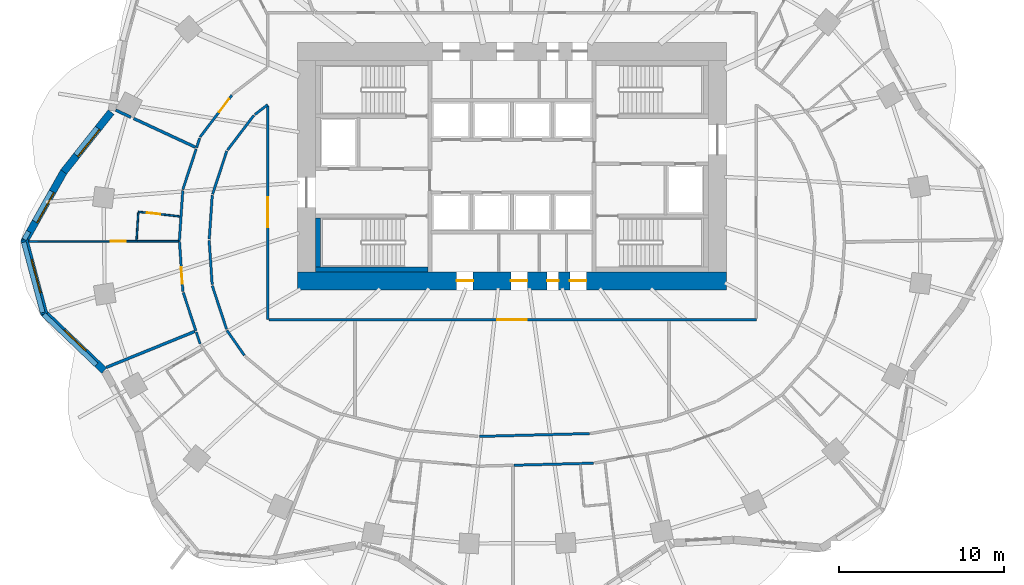
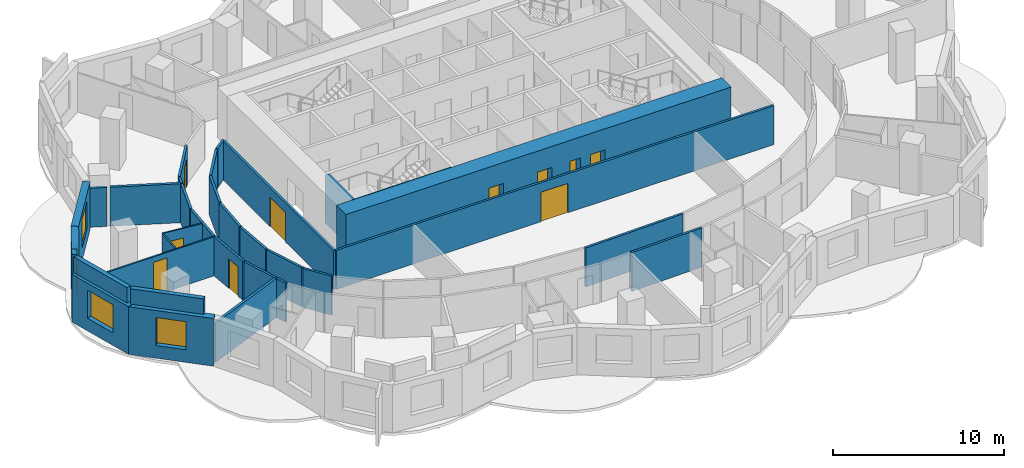
# One storey, part 4 of 11: 34 walls, 10 doors, 4 windows, 14 openings.
"""IFC4 building model written with IfcOpenShell, lengths in metres."""

from ifc_helpers import new_model, si_unit, direction, frame, frame_2d, origin, place, context, subcontext, project, spatial, rectangle, extrude, material, layer, layer_set, type_object, element, fill, save


model = new_model("IFC4")

# Units and contexts
model_context = context("Model", 3, precision=1e-05, world=origin(), true_north=direction((0.0, 1.0)))
body_context = subcontext(model_context, "Body", "Model", "MODEL_VIEW")
ifc_project = project(units=[si_unit("LENGTHUNIT", "METRE"), si_unit("AREAUNIT", "SQUARE_METRE"), si_unit("VOLUMEUNIT", "CUBIC_METRE"), si_unit("PLANEANGLEUNIT", "RADIAN"), si_unit("MASSUNIT", "GRAM", prefix="KILO")], contexts=[model_context])

# Site, building, storey
site_placement = place(None, origin())
site = spatial("IfcSite", under=ifc_project, at=site_placement, CompositionType="ELEMENT")
building_placement = place(site_placement, origin())
building = spatial("IfcBuilding", under=site, at=building_placement, Name="Rubra Terraces Tower", CompositionType="ELEMENT")
storey_placement = place(building_placement, frame((0.0, 0.0, 99.60009765625)))
storey = spatial("IfcBuildingStorey", under=building, at=storey_placement, Name="L23", CompositionType="ELEMENT", Elevation=99.60009765625)

# Walls
ifc_material_1 = material(Name="Twin plasterboard on staggered steel stud, acoustic mineral wool", Category="steel")
ifc_layer_1 = layer(ifc_material_1, 0.175048828125)
ifc_layer_set_1 = layer_set([ifc_layer_1], Name="Twin plasterboard on staggered steel stud, acoustic mineral wool")
wall_type_1 = type_object("IfcWallType", Name="ACOUSTIC PARTY WALL 175", PredefinedType="PARTITIONING", material=ifc_layer_set_1)
wall_1_placement = place(storey_placement, frame((-24.003662109375, 7.891845703125, 0.0), z_axis=(0.0, 0.0, 1.0), x_axis=(0.906808768869, -0.421542235966, 0.0)))
element("IfcWall", 1, at=wall_1_placement, inside=storey, type_object=wall_type_1, Name="PARTITION", PredefinedType="PARTITIONING", context=body_context, shape_type="SweptSolid", body=[
    extrude(rectangle(XDim=1.015380859375, YDim=0.175048828125, at=frame_2d((0.5078125, 0.0))), origin(), (0.0, 0.0, 1.0), 2.783935546875),
])
wall_2_placement = place(storey_placement, frame((-22.91357421875, 7.385009765625, 0.0), z_axis=(0.0, 0.0, 1.0), x_axis=(0.906751124929, -0.421666215674, 0.0)))
element("IfcWall", 2, at=wall_2_placement, inside=storey, type_object=wall_type_1, Name="PARTITION", PredefinedType="PARTITIONING", context=body_context, shape_type="SweptSolid", body=[
    extrude(rectangle(XDim=4.123046875, YDim=0.175048828125, at=frame_2d((2.0615234375, 0.0))), origin(), (0.0, 0.0, 1.0), 2.783935546875),
])
wall_3_placement = place(storey_placement, frame((-24.57421875, -7.692138671875, 0.0), z_axis=(0.0, 0.0, 1.0), x_axis=(0.926441725598, 0.376438214148, 0.0)))
element("IfcWall", 3, at=wall_3_placement, inside=storey, type_object=wall_type_1, Name="PARTITION", PredefinedType="PARTITIONING", context=body_context, shape_type="SweptSolid", body=[
    extrude(rectangle(XDim=5.78125, YDim=0.175048828125, at=frame_2d((2.890625, 0.0))), origin(), (0.0, 0.0, 1.0), 2.783935546875),
])

# Wall, opening, window
ifc_material_2 = material(Name="Brick masonry red-brown", Category="masonry")
ifc_layer_2 = layer(ifc_material_2, 0.449951171875)
ifc_layer_set_2 = layer_set([ifc_layer_2], Name="Brick masonry red-brown")
wall_type_2 = type_object("IfcWallType", Name="Brick facade wall 450", PredefinedType="SOLIDWALL", material=ifc_layer_set_2)
wall_4_placement = place(storey_placement, frame((-24.2822265625, 7.773681640625, 0.0), z_axis=(0.0, 0.0, 1.0), x_axis=(-0.621735490397, -0.783227285008, 0.0)))
wall_4 = element("IfcWall", 4, at=wall_4_placement, inside=storey, type_object=wall_type_2, Name="Facade wall L23 bay 19", PredefinedType="SOLIDWALL", context=body_context, shape_type="SweptSolid", body=[
    extrude(rectangle(XDim=4.62451171875, YDim=0.449951171875, at=frame_2d((2.312255859375, 0.0))), origin(), (0.0, 0.0, 1.0), 3.39990234375),
])
opening_1_placement = place(wall_4_placement, frame((1.26220703125, 0.0, 0.89990234375)))
opening_1 = element("IfcOpeningElement", 5, at=opening_1_placement, cuts=wall_4, Name="Opening W1", PredefinedType="OPENING", context=body_context, shape_type="SweptSolid", body=[
    extrude(rectangle(XDim=2.10009765625, YDim=2.0, at=frame_2d((1.050048828125, 1.0))), frame((0.0, 0.23486328125, 0.0), z_axis=(0.0, -1.0, 0.0), x_axis=(1.0, 0.0, 0.0)), (0.0, 0.0, 1.0), 0.469970703125),
])
ifc_material_3 = material(Name="Clear glass in aluminium frame", Category="aluminium")
window_type_1 = type_object("IfcWindowType", Name="Fixed deep-set window 2100 x 2000", PartitioningType="SINGLE_PANEL", PredefinedType="WINDOW", material=ifc_material_3)
window_1_placement = place(opening_1_placement, origin())
window_1 = element("IfcWindow", 6, at=window_1_placement, inside=storey, type_object=window_type_1, Name="Window L23 bay 19", OverallHeight=2.0, OverallWidth=2.10009765625, PartitioningType="SINGLE_PANEL", PredefinedType="WINDOW", context=body_context, shape_type="SweptSolid", body=[
    extrude(rectangle(XDim=2.10009765625, YDim=2.0, at=frame_2d((1.050048828125, 1.0))), frame((0.0, 0.135009765625, 0.0), z_axis=(0.0, -1.0, 0.0), x_axis=(1.0, 0.0, 0.0)), (0.0, 0.0, 1.0), 0.06005859375),
])
fill(opening_1, window_1)

wall_5_placement = place(storey_placement, frame((-27.138427734375, 4.180908203125, 0.0), z_axis=(0.0, 0.0, 1.0), x_axis=(-0.491588303761, -0.870827732451, 0.0)))
wall_5 = element("IfcWall", 7, at=wall_5_placement, inside=storey, type_object=wall_type_2, Name="Facade wall L23 bay 20", PredefinedType="SOLIDWALL", context=body_context, shape_type="SweptSolid", body=[
    extrude(rectangle(XDim=4.924072265625, YDim=0.449951171875, at=frame_2d((2.4619140625, 0.0))), origin(), (0.0, 0.0, 1.0), 3.39990234375),
])
opening_2_placement = place(wall_5_placement, frame((1.412109375, 0.0, 0.89990234375)))
opening_2 = element("IfcOpeningElement", 8, at=opening_2_placement, cuts=wall_5, Name="Opening W1", PredefinedType="OPENING", context=body_context, shape_type="SweptSolid", body=[
    extrude(rectangle(XDim=2.10009765625, YDim=2.0, at=frame_2d((1.050048828125, 1.0))), frame((0.0, 0.23486328125, 0.0), z_axis=(0.0, -1.0, 0.0), x_axis=(1.0, 0.0, 0.0)), (0.0, 0.0, 1.0), 0.469970703125),
])
window_2_placement = place(opening_2_placement, origin())
window_2 = element("IfcWindow", 9, at=window_2_placement, inside=storey, type_object=window_type_1, Name="Window L23 bay 20", OverallHeight=2.0, OverallWidth=2.10009765625, PartitioningType="SINGLE_PANEL", PredefinedType="WINDOW", context=body_context, shape_type="SweptSolid", body=[
    extrude(rectangle(XDim=2.10009765625, YDim=2.0, at=frame_2d((1.050048828125, 1.0))), frame((0.0, 0.135009765625, 0.0), z_axis=(0.0, -1.0, 0.0), x_axis=(1.0, 0.0, 0.0)), (0.0, 0.0, 1.0), 0.06005859375),
])
fill(opening_2, window_2)

wall_6_placement = place(storey_placement, frame((-29.539794921875, 0.05810546875, 0.0), z_axis=(0.0, 0.0, 1.0), x_axis=(0.258581372102, -0.96598947924, 0.0)))
wall_6 = element("IfcWall", 10, at=wall_6_placement, inside=storey, type_object=wall_type_2, Name="Facade wall L23 bay 21", PredefinedType="SOLIDWALL", context=body_context, shape_type="SweptSolid", body=[
    extrude(rectangle(XDim=4.68017578125, YDim=0.449951171875, at=frame_2d((2.340087890625, 0.0))), origin(), (0.0, 0.0, 1.0), 3.39990234375),
])
opening_3_placement = place(wall_6_placement, frame((1.2900390625, 0.0, 0.89990234375)))
opening_3 = element("IfcOpeningElement", 11, at=opening_3_placement, cuts=wall_6, Name="Opening W1", PredefinedType="OPENING", context=body_context, shape_type="SweptSolid", body=[
    extrude(rectangle(XDim=2.10009765625, YDim=2.0, at=frame_2d((1.050048828125, 1.0))), frame((0.0, 0.23486328125, 0.0), z_axis=(0.0, -1.0, 0.0), x_axis=(1.0, 0.0, 0.0)), (0.0, 0.0, 1.0), 0.469970703125),
])
window_3_placement = place(opening_3_placement, origin())
window_3 = element("IfcWindow", 12, at=window_3_placement, inside=storey, type_object=window_type_1, Name="Window L23 bay 21", OverallHeight=2.0, OverallWidth=2.10009765625, PartitioningType="SINGLE_PANEL", PredefinedType="WINDOW", context=body_context, shape_type="SweptSolid", body=[
    extrude(rectangle(XDim=2.10009765625, YDim=2.0, at=frame_2d((1.050048828125, 1.0))), frame((0.0, 0.135009765625, 0.0), z_axis=(0.0, -1.0, 0.0), x_axis=(1.0, 0.0, 0.0)), (0.0, 0.0, 1.0), 0.06005859375),
])
fill(opening_3, window_3)

wall_7_placement = place(storey_placement, frame((-28.38720703125, -4.362548828125, 0.0), z_axis=(0.0, 0.0, 1.0), x_axis=(0.722717697728, -0.691143349379, 0.0)))
wall_7 = element("IfcWall", 13, at=wall_7_placement, inside=storey, type_object=wall_type_2, Name="Facade wall L23 bay 22", PredefinedType="SOLIDWALL", context=body_context, shape_type="SweptSolid", body=[
    extrude(rectangle(XDim=5.103271484375, YDim=0.449951171875, at=frame_2d((2.5517578125, 0.0))), origin(), (0.0, 0.0, 1.0), 3.39990234375),
])
opening_4_placement = place(wall_7_placement, frame((1.651611328125, 0.0, 0.89990234375)))
opening_4 = element("IfcOpeningElement", 14, at=opening_4_placement, cuts=wall_7, Name="Opening W6", PredefinedType="OPENING", context=body_context, shape_type="SweptSolid", body=[
    extrude(rectangle(XDim=1.800048828125, YDim=2.0, at=frame_2d((0.89990234375, 1.0))), frame((0.0, 0.23486328125, 0.0), z_axis=(0.0, -1.0, 0.0), x_axis=(1.0, 0.0, 0.0)), (0.0, 0.0, 1.0), 0.469970703125),
])
window_type_2 = type_object("IfcWindowType", Name="Fixed deep-set window at wind fin 1800 x 2000", PartitioningType="SINGLE_PANEL", PredefinedType="WINDOW", material=ifc_material_3)
window_4_placement = place(opening_4_placement, origin())
window_4 = element("IfcWindow", 15, at=window_4_placement, inside=storey, type_object=window_type_2, Name="Window L23 bay 22", OverallHeight=2.0, OverallWidth=1.800048828125, PartitioningType="SINGLE_PANEL", PredefinedType="WINDOW", context=body_context, shape_type="SweptSolid", body=[
    extrude(rectangle(XDim=1.800048828125, YDim=2.0, at=frame_2d((0.89990234375, 1.0))), frame((0.0, 0.135009765625, 0.0), z_axis=(0.0, -1.0, 0.0), x_axis=(1.0, 0.0, 0.0)), (0.0, 0.0, 1.0), 0.06005859375),
])
fill(opening_4, window_4)

# Walls
ifc_layer_3 = layer(ifc_material_2, 0.300048828125)
ifc_layer_set_3 = layer_set([ifc_layer_3], Name="Brick masonry red-brown")
wall_type_3 = type_object("IfcWallType", Name="Brick parapet 300", PredefinedType="PARAPET", material=ifc_layer_set_3)
wall_8_placement = place(storey_placement, frame((-29.27880859375, 0.541748046875, 3.599853515625), z_axis=(0.0, 0.0, 1.0), x_axis=(-0.491912136679, -0.870644847103, 0.0)))
element("IfcWall", 16, at=wall_8_placement, inside=storey, type_object=wall_type_3, Name="Parapet L23 bay 20", PredefinedType="PARAPET", context=body_context, shape_type="SweptSolid", body=[
    extrude(rectangle(XDim=0.554443359375, YDim=0.300048828125, at=frame_2d((0.27734375, 0.0))), origin(), (0.0, 0.0, 1.0), 1.10009765625),
])
for number, where, z_axis, x_axis, name in (
    (17, (-29.57275390625, -0.1083984375, 3.599853515625), (0.0, 0.0, 1.0), (0.258523195294, -0.96600505045, 0.0), "Parapet L23 bay 21"),
    (18, (-28.36083984375, -4.491455078125, 3.599853515625), (0.0, 0.0, 1.0), (0.722694709068, -0.691167387457, 0.0), "Parapet L23 bay 22"),
):
    element("IfcWall", number, at=place(storey_placement, frame(where, z_axis=z_axis, x_axis=x_axis)), inside=storey, type_object=wall_type_3, Name=name, PredefinedType="PARAPET", context=body_context, shape_type="SweptSolid", body=[
        extrude(rectangle(XDim=4.4140625, YDim=0.300048828125, at=frame_2d((2.20703125, 0.0))), origin(), (0.0, 0.0, 1.0), 1.10009765625),
    ])

# Wall, openings, doors
ifc_material_4 = material(Name="Concrete C60", Category="concrete")
ifc_layer_4 = layer(ifc_material_4, 1.10009765625)
ifc_layer_set_4 = layer_set([ifc_layer_4], Name="Concrete C60")
wall_type_4 = type_object("IfcWallType", Name="CORE WALL 1100 C60", PredefinedType="SHEAR", material=ifc_layer_set_4)
wall_9_placement = place(storey_placement, frame((-13.0, -2.449951171875, 0.0), z_axis=(0.0, 0.0, 1.0), x_axis=(1.0, 0.0, 0.0)))
wall_9 = element("IfcWall", 19, at=wall_9_placement, inside=storey, type_object=wall_type_4, Name="CORE WALL S L23", PredefinedType="SHEAR", context=body_context, shape_type="SweptSolid", body=[
    extrude(rectangle(XDim=26.0, YDim=1.10009765625, at=frame_2d((13.0, 0.0))), origin(), (0.0, 0.0, 1.0), 3.599853515625),
])
opening_5_placement = place(wall_9_placement, frame((9.64990234375, 0.0, 0.0)))
opening_5 = element("IfcOpeningElement", 20, at=opening_5_placement, cuts=wall_9, Name="Opening L23.C19", PredefinedType="OPENING", context=body_context, shape_type="SweptSolid", body=[
    extrude(rectangle(XDim=1.0, YDim=2.10009765625, at=frame_2d((0.5, 1.050048828125))), frame((0.0, 0.56005859375, 0.0), z_axis=(0.0, -1.0, 0.0), x_axis=(1.0, 0.0, 0.0)), (0.0, 0.0, 1.0), 1.1201171875),
])
opening_6_placement = place(wall_9_placement, frame((12.925048828125, 0.0, 0.0)))
opening_6 = element("IfcOpeningElement", 21, at=opening_6_placement, cuts=wall_9, Name="Opening L23.C20", PredefinedType="OPENING", context=body_context, shape_type="SweptSolid", body=[
    extrude(rectangle(XDim=1.0, YDim=2.10009765625, at=frame_2d((0.5, 1.050048828125))), frame((0.0, 0.56005859375, 0.0), z_axis=(0.0, -1.0, 0.0), x_axis=(1.0, 0.0, 0.0)), (0.0, 0.0, 1.0), 1.1201171875),
])
opening_7_placement = place(wall_9_placement, frame((15.125, 0.0, 0.0)))
opening_7 = element("IfcOpeningElement", 22, at=opening_7_placement, cuts=wall_9, Name="Opening L23.C21", PredefinedType="OPENING", context=body_context, shape_type="SweptSolid", body=[
    extrude(rectangle(XDim=0.699951171875, YDim=2.10009765625, at=frame_2d((0.35009765625, 1.050048828125))), frame((0.0, 0.56005859375, 0.0), z_axis=(0.0, -1.0, 0.0), x_axis=(1.0, 0.0, 0.0)), (0.0, 0.0, 1.0), 1.1201171875),
])
opening_8_placement = place(wall_9_placement, frame((16.5, 0.0, 0.0)))
opening_8 = element("IfcOpeningElement", 23, at=opening_8_placement, cuts=wall_9, Name="Opening L23.C22", PredefinedType="OPENING", context=body_context, shape_type="SweptSolid", body=[
    extrude(rectangle(XDim=1.0, YDim=2.10009765625, at=frame_2d((0.5, 1.050048828125))), frame((0.0, 0.56005859375, 0.0), z_axis=(0.0, -1.0, 0.0), x_axis=(1.0, 0.0, 0.0)), (0.0, 0.0, 1.0), 1.1201171875),
])
ifc_material_5 = material(Name="Painted steel", Category="steel")
door_type_1 = type_object("IfcDoorType", Name="Fire door 1000x2100 single", OperationType="NOTDEFINED", PredefinedType="DOOR", material=ifc_material_5)
door_1_placement = place(opening_5_placement, origin())
door_1 = element("IfcDoor", 24, at=door_1_placement, inside=storey, type_object=door_type_1, Name="Linen store door", OperationType="SINGLE_SWING_LEFT", OverallHeight=2.10009765625, OverallWidth=1.0, PredefinedType="DOOR", context=body_context, shape_type="SweptSolid", body=[
    extrude(rectangle(XDim=1.0, YDim=2.10009765625, at=frame_2d((0.5, 1.050048828125))), frame((0.0, 0.02490234375, 0.0), z_axis=(0.0, -1.0, 0.0), x_axis=(1.0, 0.0, 0.0)), (0.0, 0.0, 1.0), 0.050048828125),
])
fill(opening_5, door_1)
door_2_placement = place(opening_6_placement, origin())
door_2 = element("IfcDoor", 25, at=door_2_placement, inside=storey, type_object=door_type_1, Name="Guest pantry door", OperationType="SINGLE_SWING_RIGHT", OverallHeight=2.10009765625, OverallWidth=1.0, PredefinedType="DOOR", context=body_context, shape_type="SweptSolid", body=[
    extrude(rectangle(XDim=1.0, YDim=2.10009765625, at=frame_2d((0.5, 1.050048828125))), frame((0.0, 0.02490234375, 0.0), z_axis=(0.0, -1.0, 0.0), x_axis=(1.0, 0.0, 0.0)), (0.0, 0.0, 1.0), 0.050048828125),
])
fill(opening_6, door_2)
door_3_placement = place(opening_8_placement, origin())
door_3 = element("IfcDoor", 26, at=door_3_placement, inside=storey, type_object=door_type_1, Name="Refuse room door", OperationType="SINGLE_SWING_RIGHT", OverallHeight=2.10009765625, OverallWidth=1.0, PredefinedType="DOOR", context=body_context, shape_type="SweptSolid", body=[
    extrude(rectangle(XDim=1.0, YDim=2.10009765625, at=frame_2d((0.5, 1.050048828125))), frame((0.0, 0.02490234375, 0.0), z_axis=(0.0, -1.0, 0.0), x_axis=(1.0, 0.0, 0.0)), (0.0, 0.0, 1.0), 0.050048828125),
])
fill(opening_8, door_3)
door_type_2 = type_object("IfcDoorType", Name="Riser access door 700x2100 single", OperationType="NOTDEFINED", PredefinedType="DOOR", material=ifc_material_5)
door_4_placement = place(opening_7_placement, origin())
door_4 = element("IfcDoor", 27, at=door_4_placement, inside=storey, type_object=door_type_2, Name="Telecoms room door", OperationType="SINGLE_SWING_LEFT", OverallHeight=2.10009765625, OverallWidth=0.699951171875, PredefinedType="DOOR", context=body_context, shape_type="SweptSolid", body=[
    extrude(rectangle(XDim=0.699951171875, YDim=2.10009765625, at=frame_2d((0.35009765625, 1.050048828125))), frame((0.0, 0.02490234375, 0.0), z_axis=(0.0, -1.0, 0.0), x_axis=(1.0, 0.0, 0.0)), (0.0, 0.0, 1.0), 0.050048828125),
])
fill(opening_7, door_4)

# Wall, opening, door
ifc_material_6 = material(Name="Plasterboard on steel stud, mineral wool infill", Category="steel")
ifc_layer_5 = layer(ifc_material_6, 0.14990234375)
ifc_layer_set_5 = layer_set([ifc_layer_5], Name="Plasterboard on steel stud, mineral wool infill")
wall_type_5 = type_object("IfcWallType", Name="CORRIDOR PARTITION 150", PredefinedType="PARTITIONING", material=ifc_layer_set_5)
wall_10_placement = place(storey_placement, frame((-16.966796875, 8.799560546875, 0.0), z_axis=(0.0, 0.0, 1.0), x_axis=(-0.604991921991, -0.796231608469, 0.0)))
wall_10 = element("IfcWall", 28, at=wall_10_placement, inside=storey, type_object=wall_type_5, Name="PARTITION", PredefinedType="PARTITIONING", context=body_context, shape_type="SweptSolid", body=[
    extrude(rectangle(XDim=3.18505859375, YDim=0.14990234375, at=frame_2d((1.592529296875, 0.0))), origin(), (0.0, 0.0, 1.0), 2.783935546875),
])
opening_9_placement = place(wall_10_placement, frame((0.300048828125, 0.0, 0.0)))
opening_9 = element("IfcOpeningElement", 29, at=opening_9_placement, cuts=wall_10, Name="Opening 23-103", PredefinedType="OPENING", context=body_context, shape_type="SweptSolid", body=[
    extrude(rectangle(XDim=1.0, YDim=2.10009765625, at=frame_2d((0.5, 1.050048828125))), frame((0.0, 0.0849609375, 0.0), z_axis=(0.0, -1.0, 0.0), x_axis=(1.0, 0.0, 0.0)), (0.0, 0.0, 1.0), 0.169921875),
])
ifc_material_7 = material(Name="Painted timber door leaf", Category="wood")
door_type_3 = type_object("IfcDoorType", Name="ROOM DOOR 1000 X 2100", OperationType="SINGLE_SWING_LEFT", PredefinedType="DOOR", material=ifc_material_7)
door_5_placement = place(opening_9_placement, origin())
door_5 = element("IfcDoor", 30, at=door_5_placement, inside=storey, type_object=door_type_3, Name="DOOR 23-103", OperationType="SINGLE_SWING_RIGHT", OverallHeight=2.10009765625, OverallWidth=1.0, PredefinedType="DOOR", context=body_context, shape_type="SweptSolid", body=[
    extrude(rectangle(XDim=1.0, YDim=2.10009765625, at=frame_2d((0.5, 1.050048828125))), frame((0.0, 0.02490234375, 0.0), z_axis=(0.0, -1.0, 0.0), x_axis=(1.0, 0.0, 0.0)), (0.0, 0.0, 1.0), 0.050048828125),
])
fill(opening_9, door_5)

# Walls
wall_11_placement = place(storey_placement, frame((-18.917236328125, 6.192138671875, 0.0), z_axis=(0.0, 0.0, 1.0), x_axis=(-0.312127391281, -0.95004025789, 0.0)))
element("IfcWall", 31, at=wall_11_placement, inside=storey, type_object=wall_type_5, Name="PARTITION", PredefinedType="PARTITIONING", context=body_context, shape_type="SweptSolid", body=[
    extrude(rectangle(XDim=0.607666015625, YDim=0.14990234375, at=frame_2d((0.3037109375, 0.0))), origin(), (0.0, 0.0, 1.0), 2.783935546875),
])
wall_12_placement = place(storey_placement, frame((-19.13037109375, 5.54345703125, 0.0), z_axis=(0.0, 0.0, 1.0), x_axis=(-0.312063251121, -0.950061328178, 0.0)))
element("IfcWall", 32, at=wall_12_placement, inside=storey, type_object=wall_type_5, Name="PARTITION", PredefinedType="PARTITIONING", context=body_context, shape_type="SweptSolid", body=[
    extrude(rectangle(XDim=2.587158203125, YDim=0.14990234375, at=frame_2d((1.29345703125, 0.0))), origin(), (0.0, 0.0, 1.0), 2.783935546875),
])
wall_13_placement = place(storey_placement, frame((-19.94287109375, 3.0107421875, 0.0), z_axis=(0.0, 0.0, 1.0), x_axis=(-0.068280105787, -0.997666190243, 0.0)))
element("IfcWall", 33, at=wall_13_placement, inside=storey, type_object=wall_type_5, Name="PARTITION", PredefinedType="PARTITIONING", context=body_context, shape_type="SweptSolid", body=[
    extrude(rectangle(XDim=3.017822265625, YDim=0.14990234375, at=frame_2d((1.5087890625, 0.0))), origin(), (0.0, 0.0, 1.0), 2.783935546875),
])

# Wall, opening, door
wall_14_placement = place(storey_placement, frame((-20.143798828125, -0.07470703125, 0.0), z_axis=(0.0, 0.0, 1.0), x_axis=(0.068280105787, -0.997666190243, 0.0)))
wall_14 = element("IfcWall", 34, at=wall_14_placement, inside=storey, type_object=wall_type_5, Name="PARTITION", PredefinedType="PARTITIONING", context=body_context, shape_type="SweptSolid", body=[
    extrude(rectangle(XDim=3.017822265625, YDim=0.14990234375, at=frame_2d((1.5087890625, 0.0))), origin(), (0.0, 0.0, 1.0), 2.783935546875),
])
opening_10_placement = place(wall_14_placement, frame((1.550048828125, 0.0, 0.0)))
opening_10 = element("IfcOpeningElement", 35, at=opening_10_placement, cuts=wall_14, Name="Opening 23-106", PredefinedType="OPENING", context=body_context, shape_type="SweptSolid", body=[
    extrude(rectangle(XDim=1.0, YDim=2.10009765625, at=frame_2d((0.5, 1.050048828125))), frame((0.0, 0.0849609375, 0.0), z_axis=(0.0, -1.0, 0.0), x_axis=(1.0, 0.0, 0.0)), (0.0, 0.0, 1.0), 0.169921875),
])
door_6_placement = place(opening_10_placement, origin())
door_6 = element("IfcDoor", 36, at=door_6_placement, inside=storey, type_object=door_type_3, Name="DOOR 23-106", OperationType="SINGLE_SWING_RIGHT", OverallHeight=2.10009765625, OverallWidth=1.0, PredefinedType="DOOR", context=body_context, shape_type="SweptSolid", body=[
    extrude(rectangle(XDim=1.0, YDim=2.10009765625, at=frame_2d((0.5, 1.050048828125))), frame((0.0, 0.02490234375, 0.0), z_axis=(0.0, -1.0, 0.0), x_axis=(1.0, 0.0, 0.0)), (0.0, 0.0, 1.0), 0.050048828125),
])
fill(opening_10, door_6)

# Walls
wall_15_placement = place(storey_placement, frame((-19.914306640625, -3.15673828125, 0.0), z_axis=(0.0, 0.0, 1.0), x_axis=(0.312045516591, -0.950067153193, 0.0)))
element("IfcWall", 37, at=wall_15_placement, inside=storey, type_object=wall_type_5, Name="PARTITION", PredefinedType="PARTITIONING", context=body_context, shape_type="SweptSolid", body=[
    extrude(rectangle(XDim=2.45361328125, YDim=0.14990234375, at=frame_2d((1.226806640625, 0.0))), origin(), (0.0, 0.0, 1.0), 2.783935546875),
])
wall_16_placement = place(storey_placement, frame((-19.125244140625, -5.55908203125, 0.0), z_axis=(0.0, 0.0, 1.0), x_axis=(0.312174518273, -0.950024773436, 0.0)))
element("IfcWall", 38, at=wall_16_placement, inside=storey, type_object=wall_type_5, Name="PARTITION", PredefinedType="PARTITIONING", context=body_context, shape_type="SweptSolid", body=[
    extrude(rectangle(XDim=0.741455078125, YDim=0.14990234375, at=frame_2d((0.37060546875, 0.0))), origin(), (0.0, 0.0, 1.0), 2.783935546875),
])
wall_17_placement = place(storey_placement, frame((0.132080078125, -13.617919921875, 0.0), z_axis=(0.0, 0.0, 1.0), x_axis=(0.999664963682, 0.025883593008, 0.0)))
element("IfcWall", 39, at=wall_17_placement, inside=storey, type_object=wall_type_5, Name="PARTITION", PredefinedType="PARTITIONING", context=body_context, shape_type="SweptSolid", body=[
    extrude(rectangle(XDim=4.810546875, YDim=0.14990234375, at=frame_2d((2.4052734375, 0.0))), origin(), (0.0, 0.0, 1.0), 2.783935546875),
])
wall_18_placement = place(storey_placement, frame((4.684326171875, -11.69921875, 0.0), z_axis=(0.0, 0.0, 1.0), x_axis=(-0.999663438204, -0.025942442425, 0.0)))
element("IfcWall", 40, at=wall_18_placement, inside=storey, type_object=wall_type_5, Name="PARTITION", PredefinedType="PARTITIONING", context=body_context, shape_type="SweptSolid", body=[
    extrude(rectangle(XDim=6.662841796875, YDim=0.14990234375, at=frame_2d((3.33154296875, 0.0))), origin(), (0.0, 0.0, 1.0), 2.783935546875),
])
wall_19_placement = place(storey_placement, frame((-16.20947265625, -6.9658203125, 0.0), z_axis=(0.0, 0.0, 1.0), x_axis=(-0.572051367607, 0.820217795966, 0.0)))
element("IfcWall", 41, at=wall_19_placement, inside=storey, type_object=wall_type_5, Name="PARTITION", PredefinedType="PARTITIONING", context=body_context, shape_type="SweptSolid", body=[
    extrude(rectangle(XDim=1.84765625, YDim=0.14990234375, at=frame_2d((0.923828125, 0.0))), origin(), (0.0, 0.0, 1.0), 2.783935546875),
])
wall_20_placement = place(storey_placement, frame((-17.289794921875, -5.379150390625, 0.0), z_axis=(0.0, 0.0, 1.0), x_axis=(-0.312009486843, 0.950078986253, 0.0)))
element("IfcWall", 42, at=wall_20_placement, inside=storey, type_object=wall_type_5, Name="PARTITION", PredefinedType="PARTITIONING", context=body_context, shape_type="SweptSolid", body=[
    extrude(rectangle(XDim=2.780029296875, YDim=0.14990234375, at=frame_2d((1.39013671875, 0.0))), origin(), (0.0, 0.0, 1.0), 2.783935546875),
])
for number, where, z_axis, x_axis, name in (
    (43, (-18.162353515625, -2.6630859375, 0.0), (0.0, 0.0, 1.0), (-0.068321828968, 0.997663333839, 0.0), "PARTITION"),
    (44, (-18.339599609375, 0.07470703125, 0.0), (0.0, 0.0, 1.0), (0.068321828968, 0.997663333839, 0.0), "PARTITION"),
):
    element("IfcWall", number, at=place(storey_placement, frame(where, z_axis=z_axis, x_axis=x_axis)), inside=storey, type_object=wall_type_5, Name=name, PredefinedType="PARTITIONING", context=body_context, shape_type="SweptSolid", body=[
        extrude(rectangle(XDim=2.66943359375, YDim=0.14990234375, at=frame_2d((1.334716796875, 0.0))), origin(), (0.0, 0.0, 1.0), 2.783935546875),
    ])
wall_21_placement = place(storey_placement, frame((-18.1337890625, 2.80908203125, 0.0), z_axis=(0.0, 0.0, 1.0), x_axis=(0.312005223814, 0.950080386237, 0.0)))
element("IfcWall", 45, at=wall_21_placement, inside=storey, type_object=wall_type_5, Name="PARTITION", PredefinedType="PARTITIONING", context=body_context, shape_type="SweptSolid", body=[
    extrude(rectangle(XDim=2.74267578125, YDim=0.14990234375, at=frame_2d((1.371337890625, 0.0))), origin(), (0.0, 0.0, 1.0), 2.783935546875),
])
wall_22_placement = place(storey_placement, frame((-17.232666015625, 5.474609375, 0.0), z_axis=(0.0, 0.0, 1.0), x_axis=(0.605024750549, 0.796206663639, 0.0)))
element("IfcWall", 46, at=wall_22_placement, inside=storey, type_object=wall_type_5, Name="PARTITION", PredefinedType="PARTITIONING", context=body_context, shape_type="SweptSolid", body=[
    extrude(rectangle(XDim=2.644775390625, YDim=0.14990234375, at=frame_2d((1.322265625, 0.0))), origin(), (0.0, 0.0, 1.0), 2.783935546875),
])
wall_23_placement = place(storey_placement, frame((-15.572998046875, 7.626220703125, 0.0), z_axis=(0.0, 0.0, 1.0), x_axis=(0.791581834002, 0.611063171921, 0.0)))
element("IfcWall", 47, at=wall_23_placement, inside=storey, type_object=wall_type_5, Name="PARTITION", PredefinedType="PARTITIONING", context=body_context, shape_type="SweptSolid", body=[
    extrude(rectangle(XDim=0.9765625, YDim=0.14990234375, at=frame_2d((0.48828125, 0.0))), origin(), (0.0, 0.0, 1.0), 2.783935546875),
])

# Wall, opening, door
wall_24_placement = place(storey_placement, frame((-14.800048828125, 8.14794921875, 0.0), z_axis=(0.0, 0.0, 1.0), x_axis=(0.0, -1.0, 0.0)))
wall_24 = element("IfcWall", 48, at=wall_24_placement, inside=storey, type_object=wall_type_5, Name="PARTITION", PredefinedType="PARTITIONING", context=body_context, shape_type="SweptSolid", body=[
    extrude(rectangle(XDim=12.947998046875, YDim=0.14990234375, at=frame_2d((6.47412109375, 0.0))), origin(), (0.0, 0.0, 1.0), 2.783935546875),
])
opening_11_placement = place(wall_24_placement, frame((5.535888671875, 0.0, 0.0)))
opening_11 = element("IfcOpeningElement", 49, at=opening_11_placement, cuts=wall_24, Name="Opening 23-132", PredefinedType="OPENING", context=body_context, shape_type="SweptSolid", body=[
    extrude(rectangle(XDim=1.800048828125, YDim=2.10009765625, at=frame_2d((0.89990234375, 1.050048828125))), frame((0.0, 0.0849609375, 0.0), z_axis=(0.0, -1.0, 0.0), x_axis=(1.0, 0.0, 0.0)), (0.0, 0.0, 1.0), 0.169921875),
])
ifc_material_8 = material(Name="Painted timber door leaf, double", Category="wood")
door_type_4 = type_object("IfcDoorType", Name="ROOM DOUBLE DOOR 1800 X 2100", OperationType="DOUBLE_DOOR_SINGLE_SWING", PredefinedType="DOOR", material=ifc_material_8)
door_7_placement = place(opening_11_placement, origin())
door_7 = element("IfcDoor", 50, at=door_7_placement, inside=storey, type_object=door_type_4, Name="DOOR 23-132", OperationType="DOUBLE_DOOR_SINGLE_SWING", OverallHeight=2.10009765625, OverallWidth=1.800048828125, PredefinedType="DOOR", context=body_context, shape_type="SweptSolid", body=[
    extrude(rectangle(XDim=1.800048828125, YDim=2.10009765625, at=frame_2d((0.89990234375, 1.050048828125))), frame((0.0, 0.02490234375, 0.0), z_axis=(0.0, -1.0, 0.0), x_axis=(1.0, 0.0, 0.0)), (0.0, 0.0, 1.0), 0.050048828125),
])
fill(opening_11, door_7)

wall_25_placement = place(storey_placement, frame((-14.72509765625, -4.800048828125, 0.0), z_axis=(0.0, 0.0, 1.0), x_axis=(1.0, 0.0, 0.0)))
wall_25 = element("IfcWall", 51, at=wall_25_placement, inside=storey, type_object=wall_type_5, Name="PARTITION", PredefinedType="PARTITIONING", context=body_context, shape_type="SweptSolid", body=[
    extrude(rectangle(XDim=29.525146484375, YDim=0.14990234375, at=frame_2d((14.7626953125, 0.0))), origin(), (0.0, 0.0, 1.0), 2.783935546875),
])
opening_12_placement = place(wall_25_placement, frame((13.824951171875, 0.0, 0.0)))
opening_12 = element("IfcOpeningElement", 52, at=opening_12_placement, cuts=wall_25, Name="Opening 23-133", PredefinedType="OPENING", context=body_context, shape_type="SweptSolid", body=[
    extrude(rectangle(XDim=1.800048828125, YDim=2.10009765625, at=frame_2d((0.89990234375, 1.050048828125))), frame((0.0, 0.0849609375, 0.0), z_axis=(0.0, -1.0, 0.0), x_axis=(1.0, 0.0, 0.0)), (0.0, 0.0, 1.0), 0.169921875),
])
door_8_placement = place(opening_12_placement, origin())
door_8 = element("IfcDoor", 53, at=door_8_placement, inside=storey, type_object=door_type_4, Name="DOOR 23-133", OperationType="DOUBLE_DOOR_SINGLE_SWING", OverallHeight=2.10009765625, OverallWidth=1.800048828125, PredefinedType="DOOR", context=body_context, shape_type="SweptSolid", body=[
    extrude(rectangle(XDim=1.800048828125, YDim=2.10009765625, at=frame_2d((0.89990234375, 1.050048828125))), frame((0.0, 0.02490234375, 0.0), z_axis=(0.0, -1.0, 0.0), x_axis=(1.0, 0.0, 0.0)), (0.0, 0.0, 1.0), 0.050048828125),
])
fill(opening_12, door_8)

# Walls
ifc_material_9 = material(Name="Concrete C40", Category="concrete")
ifc_layer_6 = layer(ifc_material_9, 0.300048828125)
ifc_layer_set_6 = layer_set([ifc_layer_6], Name="Concrete C40")
wall_type_6 = type_object("IfcWallType", Name="Core lining wall 300 concrete", PredefinedType="SOLIDWALL", material=ifc_layer_set_6)
wall_26_placement = place(storey_placement, frame((-11.89990234375, -1.75, 0.0), z_axis=(0.0, 0.0, 1.0), x_axis=(1.0, 0.0, 0.0)))
element("IfcWall", 54, at=wall_26_placement, inside=storey, type_object=wall_type_6, Name="CORE LINING WALL L23", PredefinedType="SOLIDWALL", context=body_context, shape_type="SweptSolid", body=[
    extrude(rectangle(XDim=6.7998046875, YDim=0.300048828125, at=frame_2d((3.39990234375, 0.0))), origin(), (0.0, 0.0, 1.0), 3.39990234375),
])
wall_27_placement = place(storey_placement, frame((-11.75, -1.60009765625, 0.0), z_axis=(0.0, 0.0, 1.0), x_axis=(0.0, 1.0, 0.0)))
element("IfcWall", 55, at=wall_27_placement, inside=storey, type_object=wall_type_6, Name="CORE LINING WALL L23", PredefinedType="SOLIDWALL", context=body_context, shape_type="SweptSolid", body=[
    extrude(rectangle(XDim=2.9501953125, YDim=0.300048828125, at=frame_2d((1.47509765625, 0.0))), origin(), (0.0, 0.0, 1.0), 3.39990234375),
])

# Wall, opening, door
ifc_material_10 = material(Name="Plasterboard on steel stud", Category="steel")
ifc_layer_7 = layer(ifc_material_10, 0.10009765625)
ifc_layer_set_7 = layer_set([ifc_layer_7], Name="Plasterboard on steel stud")
wall_type_7 = type_object("IfcWallType", Name="ROOM PARTITION 100", PredefinedType="PARTITIONING", material=ifc_layer_set_7)
wall_28_placement = place(storey_placement, frame((-29.270263671875, -0.06103515625, 0.0), z_axis=(0.0, 0.0, 1.0), x_axis=(0.999999140592, 0.001311035663, 0.0)))
wall_28 = element("IfcWall", 56, at=wall_28_placement, inside=storey, type_object=wall_type_7, Name="PARTITION", PredefinedType="PARTITIONING", context=body_context, shape_type="SweptSolid", body=[
    extrude(rectangle(XDim=9.124755859375, YDim=0.10009765625, at=frame_2d((4.5625, 0.0))), origin(), (0.0, 0.0, 1.0), 2.783935546875),
])
opening_13_placement = place(wall_28_placement, frame((4.97509765625, 0.0, 0.0)))
opening_13 = element("IfcOpeningElement", 57, at=opening_13_placement, cuts=wall_28, Name="Opening 23-105", PredefinedType="OPENING", context=body_context, shape_type="SweptSolid", body=[
    extrude(rectangle(XDim=0.89990234375, YDim=2.39990234375, at=frame_2d((0.449951171875, 1.199951171875))), frame((0.0, 0.06005859375, 0.0), z_axis=(0.0, -1.0, 0.0), x_axis=(1.0, 0.0, 0.0)), (0.0, 0.0, 1.0), 0.1201171875),
])
ifc_material_11 = material(Name="Veneered timber door leaf, fire-rated", Category="wood")
door_type_5 = type_object("IfcDoorType", Name="SUITE ENTRANCE DOOR 900 X 2400", OperationType="SINGLE_SWING_LEFT", PredefinedType="DOOR", material=ifc_material_11)
door_9_placement = place(opening_13_placement, origin())
door_9 = element("IfcDoor", 58, at=door_9_placement, inside=storey, type_object=door_type_5, Name="DOOR 23-105", OperationType="SINGLE_SWING_LEFT", OverallHeight=2.39990234375, OverallWidth=0.89990234375, PredefinedType="DOOR", context=body_context, shape_type="SweptSolid", body=[
    extrude(rectangle(XDim=0.89990234375, YDim=2.39990234375, at=frame_2d((0.449951171875, 1.199951171875))), frame((0.0, 0.02490234375, 0.0), z_axis=(0.0, -1.0, 0.0), x_axis=(1.0, 0.0, 0.0)), (0.0, 0.0, 1.0), 0.050048828125),
])
fill(opening_13, door_9)

wall_29_placement = place(storey_placement, frame((-20.124267578125, 1.45556640625, 0.0), z_axis=(0.0, 0.0, 1.0), x_axis=(-0.993928458412, 0.110028267089, 0.0)))
wall_29 = element("IfcWall", 59, at=wall_29_placement, inside=storey, type_object=wall_type_7, Name="PARTITION", PredefinedType="PARTITIONING", context=body_context, shape_type="SweptSolid", body=[
    extrude(rectangle(XDim=2.525146484375, YDim=0.10009765625, at=frame_2d((1.2626953125, 0.0))), origin(), (0.0, 0.0, 1.0), 2.783935546875),
])
opening_14_placement = place(wall_29_placement, frame((1.199951171875, 0.0, 0.0)))
opening_14 = element("IfcOpeningElement", 60, at=opening_14_placement, cuts=wall_29, Name="Opening 23-104", PredefinedType="OPENING", context=body_context, shape_type="SweptSolid", body=[
    extrude(rectangle(XDim=0.800048828125, YDim=2.10009765625, at=frame_2d((0.39990234375, 1.050048828125))), frame((0.0, 0.06005859375, 0.0), z_axis=(0.0, -1.0, 0.0), x_axis=(1.0, 0.0, 0.0)), (0.0, 0.0, 1.0), 0.1201171875),
])
door_type_6 = type_object("IfcDoorType", Name="BATHROOM DOOR 800 X 2100", OperationType="SINGLE_SWING_LEFT", PredefinedType="DOOR", material=ifc_material_7)
door_10_placement = place(opening_14_placement, origin())
door_10 = element("IfcDoor", 61, at=door_10_placement, inside=storey, type_object=door_type_6, Name="DOOR 23-104", OperationType="SINGLE_SWING_LEFT", OverallHeight=2.10009765625, OverallWidth=0.800048828125, PredefinedType="DOOR", context=body_context, shape_type="SweptSolid", body=[
    extrude(rectangle(XDim=0.800048828125, YDim=2.10009765625, at=frame_2d((0.39990234375, 1.050048828125))), frame((0.0, 0.02490234375, 0.0), z_axis=(0.0, -1.0, 0.0), x_axis=(1.0, 0.0, 0.0)), (0.0, 0.0, 1.0), 0.050048828125),
])
fill(opening_14, door_10)

# Wall
wall_30_placement = place(storey_placement, frame((-22.63720703125, 1.68359375, 0.0), z_axis=(0.0, 0.0, 1.0), x_axis=(-0.062279328922, -0.998058758385, 0.0)))
element("IfcWall", 62, at=wall_30_placement, inside=storey, type_object=wall_type_7, Name="PARTITION", PredefinedType="PARTITIONING", context=body_context, shape_type="SweptSolid", body=[
    extrude(rectangle(XDim=1.689453125, YDim=0.10009765625, at=frame_2d((0.8447265625, 0.0))), origin(), (0.0, 0.0, 1.0), 2.783935546875),
])

save(model, "model.ifc")
